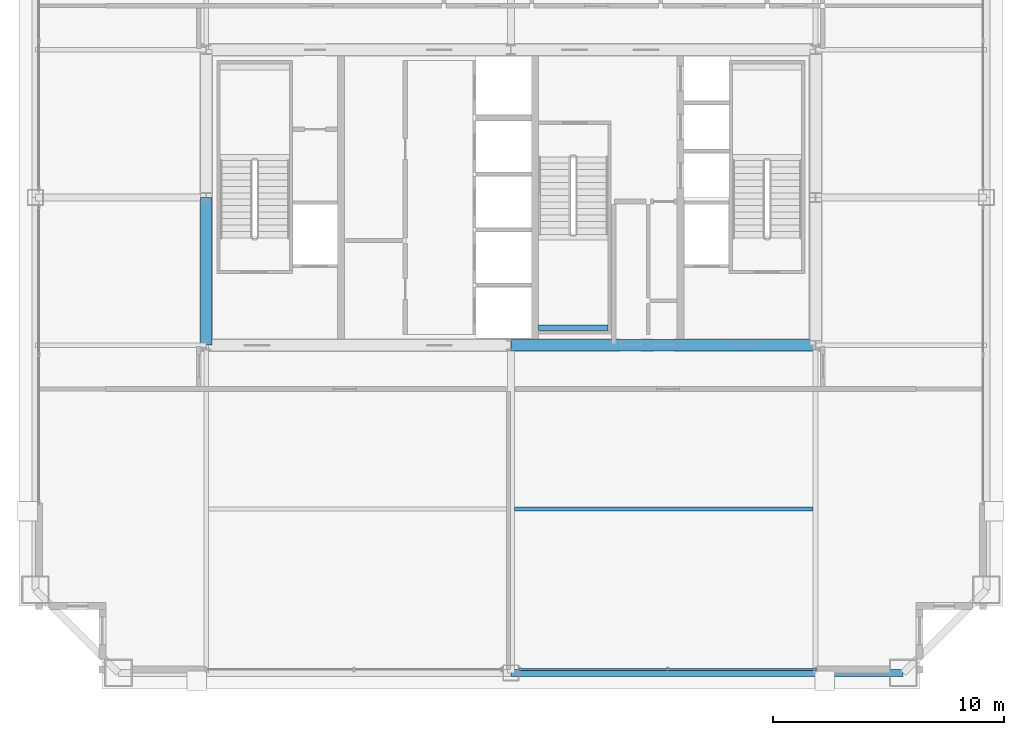
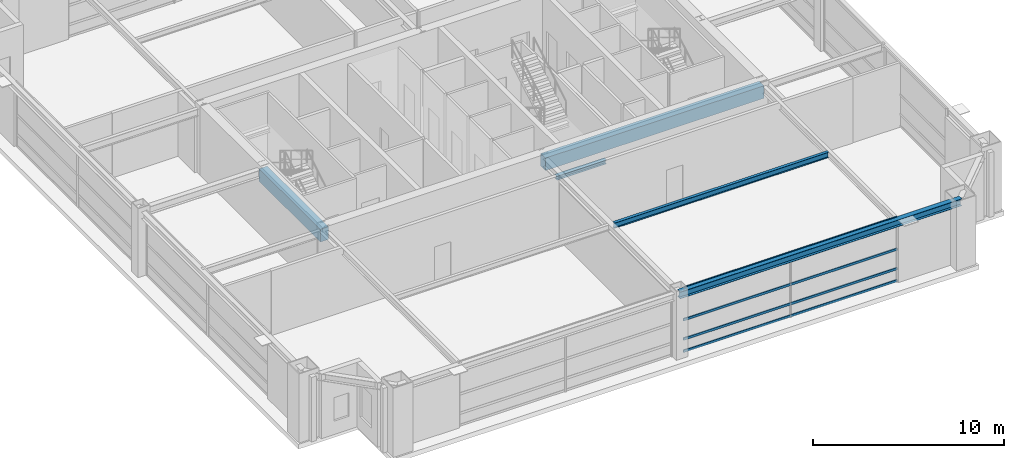
# One storey, part 9 of 26: 5 beams, 4 members, 1 element without a shape of its own.
"""IFC4 building model written with IfcOpenShell, lengths in metres."""

from ifc_helpers import new_model, si_unit, direction, frame, origin, origin_2d, place, context, subcontext, project, spatial, rectangle, hollow_rectangle, i_section, extrude, source, transform, mapped, material, layer, layer_set, material_profile, profile_set, type_object, element, aggregate, save


model = new_model("IFC4")

# Units and contexts
model_context = context("Model", 3, precision=1e-05, world=origin(), true_north=direction((0.0, 1.0)))
body_context = subcontext(model_context, "Body", "Model", "MODEL_VIEW")
ifc_project = project(units=[si_unit("LENGTHUNIT", "METRE"), si_unit("AREAUNIT", "SQUARE_METRE"), si_unit("VOLUMEUNIT", "CUBIC_METRE"), si_unit("PLANEANGLEUNIT", "RADIAN"), si_unit("MASSUNIT", "GRAM", prefix="KILO"), si_unit("THERMODYNAMICTEMPERATUREUNIT", "KELVIN"), si_unit("POWERUNIT", "WATT")], contexts=[model_context])

# Site, building, storey
site_placement = place(None, origin())
site = spatial("IfcSite", under=ifc_project, at=site_placement, CompositionType="ELEMENT")
building_placement = place(site_placement, origin())
building = spatial("IfcBuilding", under=site, at=building_placement, Name="Yuzanri Waterfront Tower", CompositionType="ELEMENT")
storey_placement = place(building_placement, frame((0.0, 0.0, 259.10009765625)))
storey = spatial("IfcBuildingStorey", under=building, at=storey_placement, Name="L69", CompositionType="ELEMENT", Elevation=259.10009765625)

# Beams
ifc_material_1 = material(Name="Concrete C50", Category="concrete")
ifc_material_profile_1 = material_profile(ifc_material_1, rectangle(XDim=0.5, YDim=0.800048828125, at=origin_2d()), Name="RC 500x800")
ifc_profile_set_1 = profile_set([ifc_material_profile_1], Name="Concrete C50")
beam_type_1 = type_object("IfcBeamType", Name="Core Coupling Lintel Concrete C50 500x800", PredefinedType="LINTEL", material=ifc_profile_set_1)
shared_shape_1 = source(origin(), body_context, "Body", "SweptSolid", [
    extrude(rectangle(XDim=0.5, YDim=0.800048828125, at=origin_2d()), origin(), (0.0, 0.0, 1.0), 13.199951171875),
])
beam_1_placement = place(storey_placement, frame((37.0, 19.39990234375, 3.719970703125), z_axis=(1.0, 0.0, 0.0), x_axis=(0.0, 1.0, 0.0)))
element("IfcBeam", 1, at=beam_1_placement, inside=storey, type_object=beam_type_1, Name="L69 Core Tie Beam CS2", PredefinedType="LINTEL", context=body_context, shape_type="MappedRepresentation", body=[
    mapped(shared_shape_1, transform((0.0, 0.0, 0.0), scale=1.0)),
])
shared_shape_2 = source(origin(), body_context, "Body", "SweptSolid", [
    extrude(rectangle(XDim=0.5, YDim=0.800048828125, at=origin_2d()), origin(), (0.0, 0.0, 1.0), 6.400146484375),
])
beam_2_placement = place(storey_placement, frame((23.800048828125, 19.39990234375, 3.719970703125), z_axis=(0.0, 1.0, 0.0), x_axis=(-1.0, 0.0, 0.0)))
element("IfcBeam", 2, at=beam_2_placement, inside=storey, type_object=beam_type_1, Name="L69 Core Tie Beam CW1", PredefinedType="LINTEL", context=body_context, shape_type="MappedRepresentation", body=[
    mapped(shared_shape_2, transform((0.0, 0.0, 0.0), scale=1.0)),
])
ifc_material_2 = material(Name="Steel Q355B", Category="steel")
ifc_material_profile_2 = material_profile(ifc_material_2, i_section(OverallWidth=0.300048828125, OverallDepth=0.43994140625, WebThickness=0.010986328125, FlangeThickness=0.01806640625, at=origin_2d()), Name="HM 440x300x11x18")
ifc_profile_set_2 = profile_set([ifc_material_profile_2], Name="Steel Q355B")
beam_type_2 = type_object("IfcBeamType", Name="Perimeter Spandrel Q355B HM 440x300", PredefinedType="SPANDREL", material=ifc_profile_set_2)
shared_shape_3 = source(origin(), body_context, "Body", "SweptSolid", [
    extrude(i_section(OverallWidth=0.300048828125, OverallDepth=0.43994140625, WebThickness=0.010986328125, FlangeThickness=0.01806640625, at=origin_2d()), origin(), (0.0, 0.0, 1.0), 17.0),
])
beam_3_placement = place(storey_placement, frame((37.0, 5.199951171875, 3.89990234375), z_axis=(1.0, 0.0, 0.0), x_axis=(0.0, 1.0, 0.0)))
element("IfcBeam", 3, at=beam_3_placement, inside=storey, type_object=beam_type_2, Name="L69 Perimeter Spandrel S2-S3", PredefinedType="SPANDREL", context=body_context, shape_type="MappedRepresentation", body=[
    mapped(shared_shape_3, transform((0.0, 0.0, 0.0), scale=1.0)),
])
ifc_material_3 = material(Name="Steel Q355B", Category="steel")
ifc_material_profile_3 = material_profile(ifc_material_3, i_section(OverallWidth=0.175048828125, OverallDepth=0.35009765625, WebThickness=0.007080078125, FlangeThickness=0.010986328125, at=origin_2d()), Name="HN 350x175x7x11")
ifc_profile_set_3 = profile_set([ifc_material_profile_3], Name="Steel Q355B")
beam_type_3 = type_object("IfcBeamType", Name="Floor Joist Q355B HN 350x175", PredefinedType="JOIST", material=ifc_profile_set_3)
shared_shape_4 = source(origin(), body_context, "Body", "SweptSolid", [
    extrude(i_section(OverallWidth=0.175048828125, OverallDepth=0.35009765625, WebThickness=0.007080078125, FlangeThickness=0.010986328125, at=origin_2d()), origin(), (0.0, 0.0, 1.0), 12.9501953125),
])
beam_4_placement = place(storey_placement, frame((37.14990234375, 12.300048828125, 3.94482421875), z_axis=(1.0, 0.0, 0.0), x_axis=(0.0, 1.0, 0.0)))
element("IfcBeam", 4, at=beam_4_placement, inside=storey, type_object=beam_type_3, Name="L69 South Bay Joist E", PredefinedType="JOIST", context=body_context, shape_type="MappedRepresentation", body=[
    mapped(shared_shape_4, transform((0.0, 0.0, 0.0), scale=1.0)),
])

# Curtain wall, members
ifc_material_4 = material(Name="Anodized Architectural Bronze", Category="metal")
ifc_layer = layer(ifc_material_4, 0.159912109375)
ifc_layer_set = layer_set([ifc_layer], Name="Anodized Architectural Bronze")
curtain_wall_type = type_object("IfcCurtainWallType", Name="Anodized Bronze Sky-Lobby Triple-Glazed Feature Curtain Wall 7500", PredefinedType="NOTDEFINED", material=ifc_layer_set)
curtain_wall_placement = place(storey_placement, origin())
curtain_wall = element("IfcCurtainWall", 5, at=curtain_wall_placement, inside=storey, type_object=curtain_wall_type, Name="L69 Curtain Wall CW-L69-SR", PredefinedType="NOTDEFINED")
ifc_material_5 = material(Name="Anodized Architectural Bronze", Category="metal")
ifc_material_profile_4 = material_profile(ifc_material_5, hollow_rectangle(XDim=0.074951171875, YDim=0.14990234375, WallThickness=0.00390625, at=origin_2d()), Name="CWT 75x150")
ifc_profile_set_4 = profile_set([ifc_material_profile_4], Name="Anodized Architectural Bronze")
member_type = type_object("IfcMemberType", Name="Anodized Bronze Primary Curtain-Wall Transom 75x150", PredefinedType="USERDEFINED", material=ifc_profile_set_4)
shared_shape_5 = source(origin(), body_context, "Body", "SweptSolid", [
    extrude(hollow_rectangle(XDim=0.074951171875, YDim=0.14990234375, WallThickness=0.00390625, at=origin_2d()), origin(), (0.0, 0.0, 1.0), 12.89990234375),
])
member_1_placement = place(storey_placement, frame((37.35009765625, 5.35009765625, 0.0498046875), z_axis=(1.0, 0.0, 0.0), x_axis=(0.0, 1.0, 0.0)))
member_1 = element("IfcMember", 6, at=member_1_placement, type_object=member_type, Name="CW-L69-SR Transom 1", ObjectType="TRANSOM", PredefinedType="USERDEFINED", context=body_context, shape_type="MappedRepresentation", body=[
    mapped(shared_shape_5, transform((0.0, 0.0, 0.0), scale=1.0)),
])
member_2_placement = place(storey_placement, frame((37.35009765625, 5.35009765625, 0.81982421875), z_axis=(1.0, 0.0, 0.0), x_axis=(0.0, 1.0, 0.0)))
member_2 = element("IfcMember", 7, at=member_2_placement, type_object=member_type, Name="CW-L69-SR Transom 2", ObjectType="TRANSOM", PredefinedType="USERDEFINED", context=body_context, shape_type="MappedRepresentation", body=[
    mapped(shared_shape_5, transform((0.0, 0.0, 0.0), scale=1.0)),
])
member_3_placement = place(storey_placement, frame((37.35009765625, 5.35009765625, 2.059814453125), z_axis=(1.0, 0.0, 0.0), x_axis=(0.0, 1.0, 0.0)))
member_3 = element("IfcMember", 8, at=member_3_placement, type_object=member_type, Name="CW-L69-SR Transom 3", ObjectType="TRANSOM", PredefinedType="USERDEFINED", context=body_context, shape_type="MappedRepresentation", body=[
    mapped(shared_shape_5, transform((0.0, 0.0, 0.0), scale=1.0)),
])
member_4_placement = place(storey_placement, frame((37.35009765625, 5.35009765625, 4.06982421875), z_axis=(1.0, 0.0, 0.0), x_axis=(0.0, 1.0, 0.0)))
member_4 = element("IfcMember", 9, at=member_4_placement, type_object=member_type, Name="CW-L69-SR Transom 4", ObjectType="TRANSOM", PredefinedType="USERDEFINED", context=body_context, shape_type="MappedRepresentation", body=[
    mapped(shared_shape_5, transform((0.0, 0.0, 0.0), scale=1.0)),
])
aggregate(curtain_wall, [member_1, member_2, member_3, member_4])

# Beam
ifc_material_6 = material(Name="Steel Q355B", Category="steel")
ifc_material_profile_5 = material_profile(ifc_material_6, i_section(OverallWidth=0.25, OverallDepth=0.25, WebThickness=0.009033203125, FlangeThickness=0.013916015625, at=origin_2d()), Name="HW 250x250x9x14")
ifc_profile_set_5 = profile_set([ifc_material_profile_5], Name="Steel Q355B")
beam_type_4 = type_object("IfcBeamType", Name="Stair Landing Support Beam Q355B HW 250x250", PredefinedType="BEAM", material=ifc_profile_set_5)
shared_shape_6 = source(origin(), body_context, "Body", "SweptSolid", [
    extrude(i_section(OverallWidth=0.25, OverallDepth=0.25, WebThickness=0.009033203125, FlangeThickness=0.013916015625, at=origin_2d()), origin(), (0.0, 0.0, 1.0), 3.0),
])
beam_5_placement = place(storey_placement, frame((38.199951171875, 20.14990234375, 1.875), z_axis=(1.0, 0.0, 0.0), x_axis=(0.0, 1.0, 0.0)))
element("IfcBeam", 10, at=beam_5_placement, inside=storey, type_object=beam_type_4, Name="L69 Stair Landing Support Beam ST-03-L69-L1-1", PredefinedType="BEAM", context=body_context, shape_type="MappedRepresentation", body=[
    mapped(shared_shape_6, transform((0.0, 0.0, 0.0), scale=1.0)),
])

save(model, "model.ifc")
